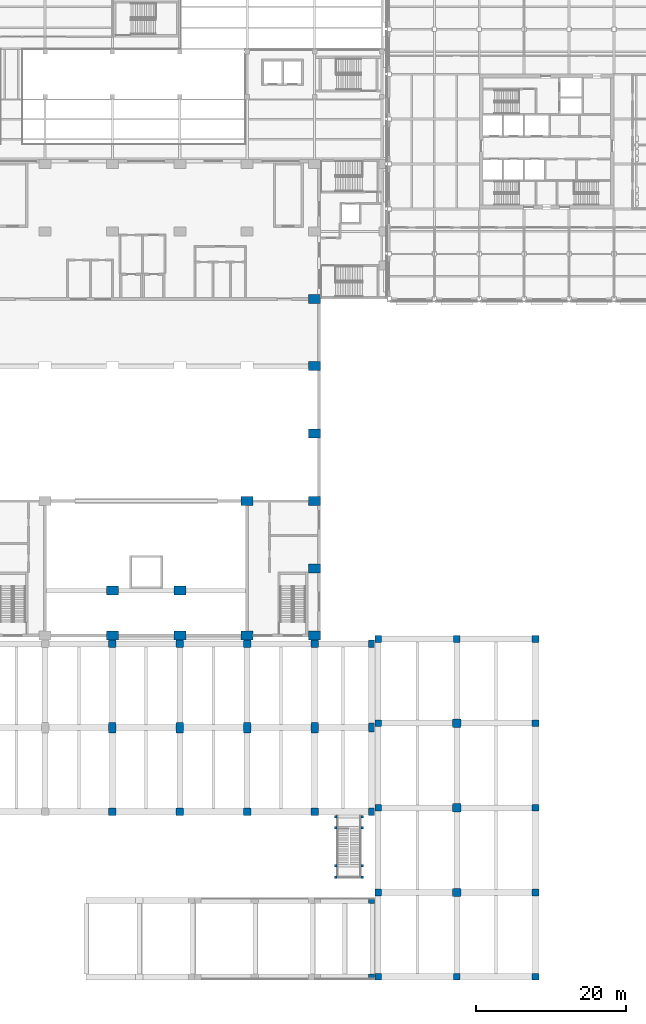
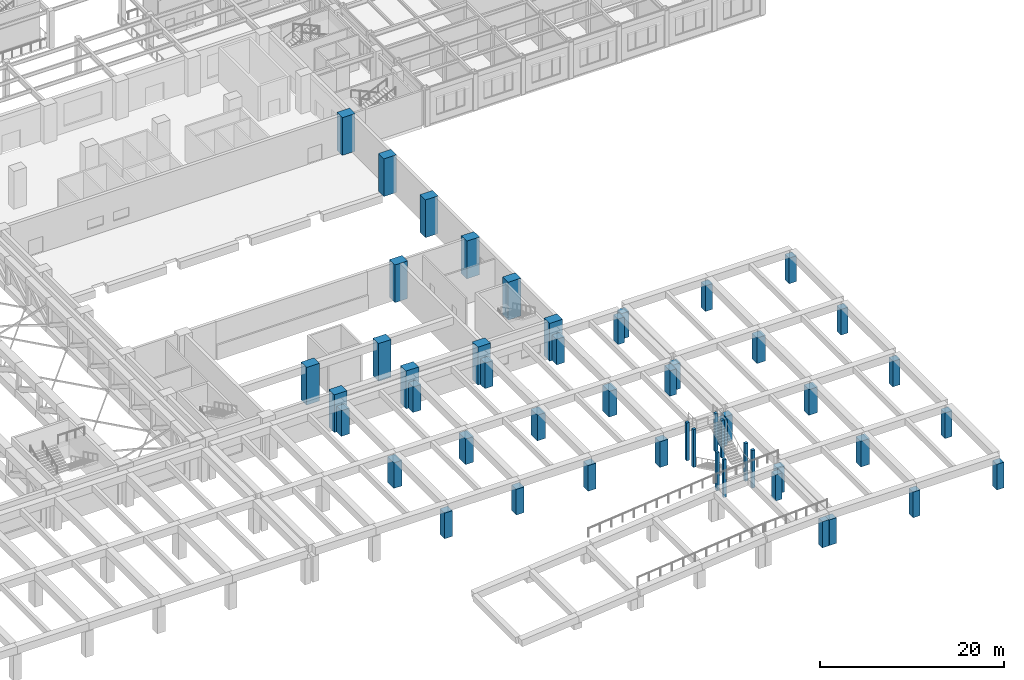
# One storey, part 3 of 76: 52 columns.
"""IFC4 building model written with IfcOpenShell, lengths in metres."""

import ifcopenshell
import ifcopenshell.guid

model = None  # the IFC model being written
_history = None  # IfcOwnerHistory: only IFC2X3 demands one
_inside = {}  # id of a spatial element -> (the spatial element, [elements in it])
_under = {}  # id of a project, library or spatial element -> (it, [spatial elements below it])
_declared = {}  # id of a project -> (the project, [libraries it declares])
_typed = {}  # id of a type object -> (the type object, [elements of that type])
_made_of = {}  # id of a material, layer set ... -> (it, [elements and type objects made of it])


def new_model(schema):
    """Start an empty IFC model of exactly this schema.

    Asked for "IFC4X3", IfcOpenShell would pick the latest addendum, in which some entities
    have other attributes; the version numbers below select the first issue.
    IFC2X3 requires an IfcOwnerHistory on every rooted entity: one is made here for all.
    """
    global model, _history
    if schema == "IFC4X3":
        model = ifcopenshell.file(schema_version=(4, 3, 0, 0))
    else:
        model = ifcopenshell.file(schema=schema)
    _inside.clear()
    _under.clear()
    _declared.clear()
    _typed.clear()
    _made_of.clear()
    _history = None
    if model.schema == "IFC2X3":
        org = make("IfcOrganization", Name="unknown")
        user = make(
            "IfcPersonAndOrganization",
            ThePerson=make("IfcPerson", FamilyName="unknown"),
            TheOrganization=org,
        )
        app = make(
            "IfcApplication",
            ApplicationDeveloper=org,
            Version="unknown",
            ApplicationFullName="unknown",
            ApplicationIdentifier="unknown",
        )
        _history = make(
            "IfcOwnerHistory",
            OwningUser=user,
            OwningApplication=app,
            ChangeAction="ADDED",
            CreationDate=0,
        )
    return model


def make(cls, **values):
    """One entity of the class cls with the attributes given. An attribute that is None is left unset."""
    return model.create_entity(
        cls, **{name: value for name, value in values.items() if value is not None}
    )


def rooted(cls, **values):
    """An entity with a GlobalId (a new one), such as an element, a storey or a relation."""
    return make(cls, GlobalId=ifcopenshell.guid.new(), OwnerHistory=_history, **values)


def si_unit(unit_type, name, prefix=None):
    """IfcSIUnit, for example si_unit("LENGTHUNIT", "METRE", prefix="MILLI")."""
    return make("IfcSIUnit", UnitType=unit_type, Prefix=prefix, Name=name)


def assignment(units):
    """IfcUnitAssignment: the units of a project."""
    return None if units is None else make("IfcUnitAssignment", Units=units)


def point(xyz):
    """IfcCartesianPoint."""
    return None if xyz is None else make("IfcCartesianPoint", Coordinates=xyz)


def direction(xyz):
    """IfcDirection."""
    return None if xyz is None else make("IfcDirection", DirectionRatios=xyz)


def frame(location, z_axis=None, x_axis=None):
    """IfcAxis2Placement3D, a coordinate frame: its origin and axes. An axis left out is left unset."""
    return make(
        "IfcAxis2Placement3D",
        Location=point(location),
        Axis=direction(z_axis),
        RefDirection=direction(x_axis),
    )


def frame_2d(location, x_axis=None):
    """IfcAxis2Placement2D, a coordinate frame in the plane: its origin and x axis."""
    return make(
        "IfcAxis2Placement2D", Location=point(location), RefDirection=direction(x_axis)
    )


def origin():
    """The frame at (0, 0, 0) with its axes left unset."""
    return frame((0.0, 0.0, 0.0))


def origin_2d():
    """The frame at (0, 0) in the plane with its x axis left unset."""
    return frame_2d((0.0, 0.0))


def place(relative_to, where):
    """IfcLocalPlacement: puts the frame where relative to a parent placement (None: the world)."""
    return make(
        "IfcLocalPlacement", PlacementRelTo=relative_to, RelativePlacement=where
    )


def context(
    kind, dimensions, precision=None, world=None, true_north=None, identifier=None
):
    """IfcGeometricRepresentationContext, for example the 3D "Model" context."""
    return make(
        "IfcGeometricRepresentationContext",
        ContextIdentifier=identifier,
        ContextType=kind,
        CoordinateSpaceDimension=dimensions,
        Precision=precision,
        WorldCoordinateSystem=world,
        TrueNorth=true_north,
    )


def subcontext(parent, identifier, kind, view, scale=None):
    """IfcGeometricRepresentationSubContext, for example "Body" below "Model"."""
    return make(
        "IfcGeometricRepresentationSubContext",
        ContextIdentifier=identifier,
        ContextType=kind,
        ParentContext=parent,
        TargetScale=scale,
        TargetView=view,
    )


def project(units=None, contexts=None):
    """IfcProject with its units and contexts."""
    return rooted(
        "IfcProject",
        Name="project",
        RepresentationContexts=contexts,
        UnitsInContext=assignment(units),
    )


def spatial(cls, under=None, at=None, **own):
    """A site, building, storey or space (cls), placed at a placement, below another one or the project."""
    s = rooted(cls, ObjectPlacement=at, **own)
    if under is not None:
        _under.setdefault(under.id(), (under, []))[1].append(s)
    return s


def profile(cls, at=None, kind="AREA", **sizes):
    """A parametric profile (cls). Its sizes go by their IFC names, for example OverallWidth=200.0."""
    return make(cls, ProfileType=kind, Position=at, **sizes)


def rectangle(**sizes):
    """IfcRectangleProfileDef."""
    return profile("IfcRectangleProfileDef", **sizes)


def extrude(swept, where, along, depth):
    """IfcExtrudedAreaSolid: the profile swept, set in the frame where, extruded along a direction by depth."""
    return make(
        "IfcExtrudedAreaSolid",
        SweptArea=swept,
        Position=where,
        ExtrudedDirection=direction(along),
        Depth=depth,
    )


def shape(context_of_items, identifier, shape_type, items):
    """IfcShapeRepresentation: the items that make up one representation, for example the "Body"."""
    return make(
        "IfcShapeRepresentation",
        ContextOfItems=context_of_items,
        RepresentationIdentifier=identifier,
        RepresentationType=shape_type,
        Items=items,
    )


def material(Name=None, Category=None):
    """IfcMaterial."""
    return make("IfcMaterial", Name=Name, Category=Category)


def material_profile(
    of_material, cross_section, Name=None, Category=None, Priority=None
):
    """IfcMaterialProfile: a cross section and its material."""
    return make(
        "IfcMaterialProfile",
        Name=Name,
        Material=of_material,
        Profile=cross_section,
        Priority=Priority,
        Category=Category,
    )


def profile_set(profiles, Name=None, composite=None):
    """IfcMaterialProfileSet."""
    return make(
        "IfcMaterialProfileSet",
        Name=Name,
        MaterialProfiles=profiles,
        CompositeProfile=composite,
    )


def made_of(thing, what):
    """Note that an element or type object is made of a material, layer set ...; save() writes the relation."""
    if what is not None:
        _made_of.setdefault(what.id(), (what, []))[1].append(thing)
    return thing


def type_object(cls, material=None, **own):
    """A type object (cls), such as IfcWallType, which elements share."""
    return made_of(rooted(cls, **own), material)


def element(
    cls,
    number,
    at=None,
    inside=None,
    cuts=None,
    type_object=None,
    material=None,
    context=None,
    identifier="Body",
    shape_type=None,
    held_by="IfcProductDefinitionShape",
    body=None,
    shapes=None,
    **own,
):
    """One element of the class cls, such as IfcWall. Its Tag is "e" and its number.

    at: its placement. inside: the storey or other place that contains it. cuts: it is an
    opening in that element (IfcRelVoidsElement). A single representation is given by context,
    identifier, shape_type and body (its items); several are given by shapes. held_by: the class
    of the entity that holds the representations. save() writes the other relations.
    """
    e = rooted(cls, Tag="e%d" % number, ObjectPlacement=at, **own)
    if body is not None:
        shapes = [shape(context, identifier, shape_type, body)]
    if shapes is not None:
        e.Representation = make(held_by, Representations=shapes)
    if inside is not None:
        _inside.setdefault(inside.id(), (inside, []))[1].append(e)
    if cuts is not None:
        rooted(
            "IfcRelVoidsElement", RelatingBuildingElement=cuts, RelatedOpeningElement=e
        )
    if type_object is not None:
        _typed.setdefault(type_object.id(), (type_object, []))[1].append(e)
    return made_of(e, material)


def aggregate(whole, parts):
    """IfcRelAggregates: a whole, such as a stair, and the parts it consists of."""
    return rooted("IfcRelAggregates", RelatingObject=whole, RelatedObjects=parts)


def save(model, path):
    """Write the relations noted so far, then the file.

    IfcRelAggregates (storeys below a building ...), IfcRelContainedInSpatialStructure (elements
    in a storey), IfcRelDefinesByType, IfcRelAssociatesMaterial and IfcRelDeclares: one each for
    every whole, place, type object, material and project.
    """
    for whole, parts in _under.values():
        aggregate(whole, parts)
    for where, things in _inside.values():
        rooted(
            "IfcRelContainedInSpatialStructure",
            RelatedElements=things,
            RelatingStructure=where,
        )
    for kind, things in _typed.values():
        rooted("IfcRelDefinesByType", RelatedObjects=things, RelatingType=kind)
    for what, things in _made_of.values():
        rooted("IfcRelAssociatesMaterial", RelatedObjects=things, RelatingMaterial=what)
    for by, libraries in _declared.values():
        rooted("IfcRelDeclares", RelatingContext=by, RelatedDefinitions=libraries)
    model.write(path)


model = new_model("IFC4")

# Units and contexts
model_context = context("Model", 3, precision=1e-05, world=origin(), true_north=direction((0.0, 1.0)))
body_context = subcontext(model_context, "Body", "Model", "MODEL_VIEW")
ifc_project = project(units=[si_unit("LENGTHUNIT", "METRE"), si_unit("AREAUNIT", "SQUARE_METRE"), si_unit("VOLUMEUNIT", "CUBIC_METRE"), si_unit("PLANEANGLEUNIT", "RADIAN"), si_unit("MASSUNIT", "GRAM", prefix="KILO")], contexts=[model_context])

# Site, building, storey
site_placement = place(None, origin())
site = spatial("IfcSite", under=ifc_project, at=site_placement, CompositionType="ELEMENT")
building_placement = place(site_placement, origin())
building = spatial("IfcBuilding", under=site, at=building_placement, Name="Aravalli Gate Trade Fair Centre", CompositionType="ELEMENT")
storey_placement = place(building_placement, frame((0.0, 0.0, 10.0)))
storey = spatial("IfcBuildingStorey", under=building, at=storey_placement, Name="L02", CompositionType="ELEMENT", Elevation=10.0)

# Columns
ifc_material = material(Name="Concrete M45", Category="concrete")
ifc_material_profile_1 = material_profile(ifc_material, rectangle(XDim=1.60009765625, YDim=1.199951171875, at=origin_2d()), Name="RC 1600x1200")
ifc_profile_set_1 = profile_set([ifc_material_profile_1], Name="Concrete M45")
column_type_1 = type_object("IfcColumnType", Name="Congress RC column 1600 x 1200", PredefinedType="COLUMN", material=ifc_profile_set_1)
for number, where, z_axis, x_axis, name in (
    (1, (123.0, 46.0, 0.0), (0.0, 0.0, 1.0), (1.0, 0.0, 0.0), "Congress column 123.0/46 L02"),
    (2, (132.0, 46.0, 0.0), (0.0, 0.0, 1.0), (1.0, 0.0, 0.0), "Congress column 132.0/46 L02"),
    (3, (141.0, 46.0, 0.0), (0.0, 0.0, 1.0), (1.0, 0.0, 0.0), "Congress column 141.0/46 L02"),
    (4, (150.0, 46.0, 0.0), (0.0, 0.0, 1.0), (1.0, 0.0, 0.0), "Congress column 150.0/46 L02"),
    (5, (150.0, 55.0, 0.0), (0.0, 0.0, 1.0), (1.0, 0.0, 0.0), "Congress column 150.0/55 L02"),
    (6, (150.0, 64.0, 0.0), (0.0, 0.0, 1.0), (1.0, 0.0, 0.0), "Congress column 150.0/64 L02"),
    (7, (150.0, 73.0, 0.0), (0.0, 0.0, 1.0), (1.0, 0.0, 0.0), "Congress column 150.0/73 L02"),
    (8, (150.0, 82.0, 0.0), (0.0, 0.0, 1.0), (1.0, 0.0, 0.0), "Congress column 150.0/82 L02"),
    (9, (150.0, 91.0, 0.0), (0.0, 0.0, 1.0), (1.0, 0.0, 0.0), "Congress column 150.0/91 L02"),
):
    element("IfcColumn", number, at=place(storey_placement, frame(where, z_axis=z_axis, x_axis=x_axis)), inside=storey, type_object=column_type_1, Name=name, PredefinedType="COLUMN", context=body_context, shape_type="SweptSolid", body=[
        extrude(rectangle(XDim=1.60009765625, YDim=1.199951171875, at=origin_2d()), origin(), (0.0, 0.0, 1.0), 5.0),
    ])
ifc_material_profile_2 = material_profile(ifc_material, rectangle(XDim=1.60009765625, YDim=1.199951171875, at=origin_2d()), Name="RC 1600x1200")
ifc_profile_set_2 = profile_set([ifc_material_profile_2], Name="Concrete M45")
column_type_2 = type_object("IfcColumnType", Name="Congress RC column 1600 x 1200, heavy stack", PredefinedType="COLUMN", material=ifc_profile_set_2)
for number, where, z_axis, x_axis, name in (
    (10, (123.0, 52.0, 0.0), (0.0, 0.0, 1.0), (1.0, 0.0, 0.0), "Congress column 123.0/52 L02"),
    (11, (132.0, 52.0, 0.0), (0.0, 0.0, 1.0), (1.0, 0.0, 0.0), "Congress column 132.0/52 L02"),
    (12, (141.0, 64.0, 0.0), (0.0, 0.0, 1.0), (1.0, 0.0, 0.0), "Congress column 141.0/64 L02"),
):
    element("IfcColumn", number, at=place(storey_placement, frame(where, z_axis=z_axis, x_axis=x_axis)), inside=storey, type_object=column_type_2, Name=name, PredefinedType="COLUMN", context=body_context, shape_type="SweptSolid", body=[
        extrude(rectangle(XDim=1.60009765625, YDim=1.199951171875, at=origin_2d()), origin(), (0.0, 0.0, 1.0), 5.0),
    ])
ifc_material_profile_3 = material_profile(ifc_material, rectangle(XDim=1.0, YDim=1.0, at=origin_2d()), Name="Deck column RC 1000 x 1000")
ifc_profile_set_3 = profile_set([ifc_material_profile_3], Name="Concrete M45")
column_type_3 = type_object("IfcColumnType", Name="Deck column RC 1000 x 1000", PredefinedType="COLUMN", material=ifc_profile_set_3)
for number, where, z_axis, x_axis, name in (
    (13, (123.0, 22.5, 0.0), (0.0, 0.0, 1.0), (1.0, 0.0, 0.0), "Deck column col.deck.3.3.S L02"),
    (14, (123.0, 44.89990234375, 0.0), (0.0, 0.0, 1.0), (1.0, 0.0, 0.0), "Deck column col.deck.3.3.N L02"),
    (15, (132.0, 22.5, 0.0), (0.0, 0.0, 1.0), (1.0, 0.0, 0.0), "Deck column col.deck.3.4.S L02"),
    (16, (132.0, 44.89990234375, 0.0), (0.0, 0.0, 1.0), (1.0, 0.0, 0.0), "Deck column col.deck.3.4.N L02"),
    (17, (141.0, 22.5, 0.0), (0.0, 0.0, 1.0), (1.0, 0.0, 0.0), "Deck column col.deck.3.5.S L02"),
    (18, (141.0, 44.89990234375, 0.0), (0.0, 0.0, 1.0), (1.0, 0.0, 0.0), "Deck column col.deck.3.5.N L02"),
    (19, (150.0, 22.5, 0.0), (0.0, 0.0, 1.0), (1.0, 0.0, 0.0), "Deck column col.deck.3.6.S L02"),
    (20, (150.0, 44.89990234375, 0.0), (0.0, 0.0, 1.0), (1.0, 0.0, 0.0), "Deck column col.deck.3.6.N L02"),
):
    element("IfcColumn", number, at=place(storey_placement, frame(where, z_axis=z_axis, x_axis=x_axis)), inside=storey, type_object=column_type_3, Name=name, PredefinedType="COLUMN", context=body_context, shape_type="SweptSolid", body=[
        extrude(rectangle(XDim=1.0, YDim=1.0, at=origin_2d()), origin(), (0.0, 0.0, 1.0), 3.39990234375),
    ])
ifc_material_profile_4 = material_profile(ifc_material, rectangle(XDim=1.0, YDim=1.39990234375, at=origin_2d()), Name="Deck column RC 1000 x 1400")
ifc_profile_set_4 = profile_set([ifc_material_profile_4], Name="Concrete M45")
column_type_4 = type_object("IfcColumnType", Name="Deck column RC 1000 x 1400", PredefinedType="COLUMN", material=ifc_profile_set_4)
for number, where, z_axis, x_axis, name in (
    (21, (123.0, 33.699951171875, 0.0), (0.0, 0.0, 1.0), (1.0, 0.0, 0.0), "Deck column col.deck.3.3.M L02"),
    (22, (132.0, 33.699951171875, 0.0), (0.0, 0.0, 1.0), (1.0, 0.0, 0.0), "Deck column col.deck.3.4.M L02"),
    (23, (141.0, 33.699951171875, 0.0), (0.0, 0.0, 1.0), (1.0, 0.0, 0.0), "Deck column col.deck.3.5.M L02"),
    (24, (150.0, 33.699951171875, 0.0), (0.0, 0.0, 1.0), (1.0, 0.0, 0.0), "Deck column col.deck.3.6.M L02"),
):
    element("IfcColumn", number, at=place(storey_placement, frame(where, z_axis=z_axis, x_axis=x_axis)), inside=storey, type_object=column_type_4, Name=name, PredefinedType="COLUMN", context=body_context, shape_type="SweptSolid", body=[
        extrude(rectangle(XDim=1.0, YDim=1.39990234375, at=origin_2d()), origin(), (0.0, 0.0, 1.0), 3.39990234375),
    ])
ifc_material_profile_5 = material_profile(ifc_material, rectangle(XDim=0.800048828125, YDim=1.0, at=origin_2d()), Name="Deck column RC 800 x 1000")
ifc_profile_set_5 = profile_set([ifc_material_profile_5], Name="Concrete M45")
column_type_5 = type_object("IfcColumnType", Name="Deck column RC 800 x 1000", PredefinedType="COLUMN", material=ifc_profile_set_5)
for number, where, z_axis, x_axis, name in (
    (25, (157.580078125, 22.5, 0.0), (0.0, 0.0, 1.0), (1.0, 0.0, 0.0), "Deck column col.deck.3.7.S L02"),
    (26, (157.580078125, 44.89990234375, 0.0), (0.0, 0.0, 1.0), (1.0, 0.0, 0.0), "Deck column col.deck.3.7.N L02"),
):
    element("IfcColumn", number, at=place(storey_placement, frame(where, z_axis=z_axis, x_axis=x_axis)), inside=storey, type_object=column_type_5, Name=name, PredefinedType="COLUMN", context=body_context, shape_type="SweptSolid", body=[
        extrude(rectangle(XDim=0.800048828125, YDim=1.0, at=origin_2d()), origin(), (0.0, 0.0, 1.0), 3.39990234375),
    ])
ifc_material_profile_6 = material_profile(ifc_material, rectangle(XDim=0.800048828125, YDim=1.199951171875, at=origin_2d()), Name="Deck column RC 800 x 1200")
ifc_profile_set_6 = profile_set([ifc_material_profile_6], Name="Concrete M45")
column_type_6 = type_object("IfcColumnType", Name="Deck column RC 800 x 1200", PredefinedType="COLUMN", material=ifc_profile_set_6)
column_placement = place(storey_placement, frame((157.580078125, 33.699951171875, 0.0), z_axis=(0.0, 0.0, 1.0), x_axis=(1.0, 0.0, 0.0)))
element("IfcColumn", 27, at=column_placement, inside=storey, type_object=column_type_6, Name="Deck column col.deck.3.7.M L02", PredefinedType="COLUMN", context=body_context, shape_type="SweptSolid", body=[
    extrude(rectangle(XDim=0.800048828125, YDim=1.199951171875, at=origin_2d()), origin(), (0.0, 0.0, 1.0), 3.39990234375),
])
ifc_material_profile_7 = material_profile(ifc_material, rectangle(XDim=1.10009765625, YDim=1.10009765625, at=origin_2d()), Name="Landing column RC 1100 x 1100")
ifc_profile_set_7 = profile_set([ifc_material_profile_7], Name="Concrete M45")
column_type_7 = type_object("IfcColumnType", Name="Landing column RC 1100 x 1100", PredefinedType="COLUMN", material=ifc_profile_set_7)
for number, where, z_axis, x_axis, name in (
    (28, (169.0, 11.699951171875, 0.0), (0.0, 0.0, 1.0), (1.0, 0.0, 0.0), "Landing column col.landing.2.2 L02"),
    (29, (169.0, 23.0, 0.0), (0.0, 0.0, 1.0), (1.0, 0.0, 0.0), "Landing column col.landing.2.3 L02"),
    (30, (169.0, 34.300048828125, 0.0), (0.0, 0.0, 1.0), (1.0, 0.0, 0.0), "Landing column col.landing.2.4 L02"),
):
    element("IfcColumn", number, at=place(storey_placement, frame(where, z_axis=z_axis, x_axis=x_axis)), inside=storey, type_object=column_type_7, Name=name, PredefinedType="COLUMN", context=body_context, shape_type="SweptSolid", body=[
        extrude(rectangle(XDim=1.10009765625, YDim=1.10009765625, at=origin_2d()), origin(), (0.0, 0.0, 1.0), 3.39990234375),
    ])
ifc_material_profile_8 = material_profile(ifc_material, rectangle(XDim=0.89990234375, YDim=0.89990234375, at=origin_2d()), Name="Landing column RC 900 x 900")
ifc_profile_set_8 = profile_set([ifc_material_profile_8], Name="Concrete M45")
column_type_8 = type_object("IfcColumnType", Name="Landing column RC 900 x 900", PredefinedType="COLUMN", material=ifc_profile_set_8)
for number, where, z_axis, x_axis, name in (
    (31, (158.5, 0.449951171875, 0.0), (0.0, 0.0, 1.0), (1.0, 0.0, 0.0), "Landing column col.landing.1.1 L02"),
    (32, (158.5, 11.699951171875, 0.0), (0.0, 0.0, 1.0), (1.0, 0.0, 0.0), "Landing column col.landing.1.2 L02"),
    (33, (158.5, 23.0, 0.0), (0.0, 0.0, 1.0), (1.0, 0.0, 0.0), "Landing column col.landing.1.3 L02"),
    (34, (158.5, 34.300048828125, 0.0), (0.0, 0.0, 1.0), (1.0, 0.0, 0.0), "Landing column col.landing.1.4 L02"),
    (35, (158.5, 45.550048828125, 0.0), (0.0, 0.0, 1.0), (1.0, 0.0, 0.0), "Landing column col.landing.1.5 L02"),
    (36, (169.0, 0.449951171875, 0.0), (0.0, 0.0, 1.0), (1.0, 0.0, 0.0), "Landing column col.landing.2.1 L02"),
    (37, (169.0, 45.550048828125, 0.0), (0.0, 0.0, 1.0), (1.0, 0.0, 0.0), "Landing column col.landing.2.5 L02"),
    (38, (179.5, 0.449951171875, 0.0), (0.0, 0.0, 1.0), (1.0, 0.0, 0.0), "Landing column col.landing.3.1 L02"),
    (39, (179.5, 11.699951171875, 0.0), (0.0, 0.0, 1.0), (1.0, 0.0, 0.0), "Landing column col.landing.3.2 L02"),
    (40, (179.5, 23.0, 0.0), (0.0, 0.0, 1.0), (1.0, 0.0, 0.0), "Landing column col.landing.3.3 L02"),
    (41, (179.5, 34.300048828125, 0.0), (0.0, 0.0, 1.0), (1.0, 0.0, 0.0), "Landing column col.landing.3.4 L02"),
    (42, (179.5, 45.550048828125, 0.0), (0.0, 0.0, 1.0), (1.0, 0.0, 0.0), "Landing column col.landing.3.5 L02"),
):
    element("IfcColumn", number, at=place(storey_placement, frame(where, z_axis=z_axis, x_axis=x_axis)), inside=storey, type_object=column_type_8, Name=name, PredefinedType="COLUMN", context=body_context, shape_type="SweptSolid", body=[
        extrude(rectangle(XDim=0.89990234375, YDim=0.89990234375, at=origin_2d()), origin(), (0.0, 0.0, 1.0), 3.39990234375),
    ])
ifc_material_profile_9 = material_profile(ifc_material, rectangle(XDim=0.800048828125, YDim=0.800048828125, at=origin_2d()), Name="Ramp column RC 800 x 800")
ifc_profile_set_9 = profile_set([ifc_material_profile_9], Name="Concrete M45")
column_type_9 = type_object("IfcColumnType", Name="Ramp column RC 800 x 800", PredefinedType="COLUMN", material=ifc_profile_set_9)
for number, where, z_axis, x_axis, name in (
    (43, (157.580078125, 0.39990234375, 0.0), (0.0, 0.0, 1.0), (1.0, 0.0, 0.0), "Ramp column col.ramp.RA1-F3.2S L02"),
    (44, (157.580078125, 10.60009765625, 0.0), (0.0, 0.0, 1.0), (1.0, 0.0, 0.0), "Ramp column col.ramp.RA1-F3.2N L02"),
):
    element("IfcColumn", number, at=place(storey_placement, frame(where, z_axis=z_axis, x_axis=x_axis)), inside=storey, type_object=column_type_9, Name=name, PredefinedType="COLUMN", context=body_context, shape_type="SweptSolid", body=[
        extrude(rectangle(XDim=0.800048828125, YDim=0.800048828125, at=origin_2d()), origin(), (0.0, 0.0, 1.0), 3.45703125),
    ])
ifc_material_profile_10 = material_profile(ifc_material, rectangle(XDim=0.35009765625, YDim=0.35009765625, at=origin_2d()), Name="Stair column RC 350 x 350")
ifc_profile_set_10 = profile_set([ifc_material_profile_10], Name="Concrete M45")
column_type_10 = type_object("IfcColumnType", Name="Stair column RC 350 x 350", PredefinedType="COLUMN", material=ifc_profile_set_10)
for number, where, z_axis, x_axis, name in (
    (45, (152.824951171875, 21.800048828125, 0.0), (0.0, 0.0, 1.0), (1.0, 0.0, 0.0), "Stair column col.stair.2.1.1 L02"),
    (46, (152.824951171875, 20.35009765625, 0.0), (0.0, 0.0, 1.0), (1.0, 0.0, 0.0), "Stair column col.stair.2.1.2 L02"),
    (47, (152.824951171875, 15.25, 0.0), (0.0, 0.0, 1.0), (1.0, 0.0, 0.0), "Stair column col.stair.2.1.3 L02"),
    (48, (152.824951171875, 13.75, 0.0), (0.0, 0.0, 1.0), (1.0, 0.0, 0.0), "Stair column col.stair.2.1.4 L02"),
    (49, (156.375, 21.800048828125, 0.0), (0.0, 0.0, 1.0), (1.0, 0.0, 0.0), "Stair column col.stair.2.2.1 L02"),
    (50, (156.375, 20.35009765625, 0.0), (0.0, 0.0, 1.0), (1.0, 0.0, 0.0), "Stair column col.stair.2.2.2 L02"),
    (51, (156.375, 15.25, 0.0), (0.0, 0.0, 1.0), (1.0, 0.0, 0.0), "Stair column col.stair.2.2.3 L02"),
    (52, (156.375, 13.75, 0.0), (0.0, 0.0, 1.0), (1.0, 0.0, 0.0), "Stair column col.stair.2.2.4 L02"),
):
    element("IfcColumn", number, at=place(storey_placement, frame(where, z_axis=z_axis, x_axis=x_axis)), inside=storey, type_object=column_type_10, Name=name, PredefinedType="COLUMN", context=body_context, shape_type="SweptSolid", body=[
        extrude(rectangle(XDim=0.35009765625, YDim=0.35009765625, at=origin_2d()), origin(), (0.0, 0.0, 1.0), 5.0),
    ])

save(model, "model.ifc")
